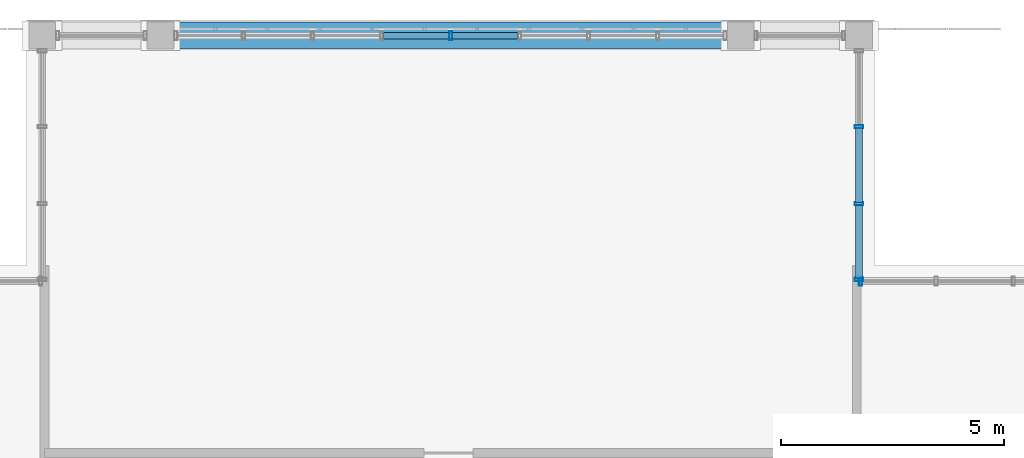
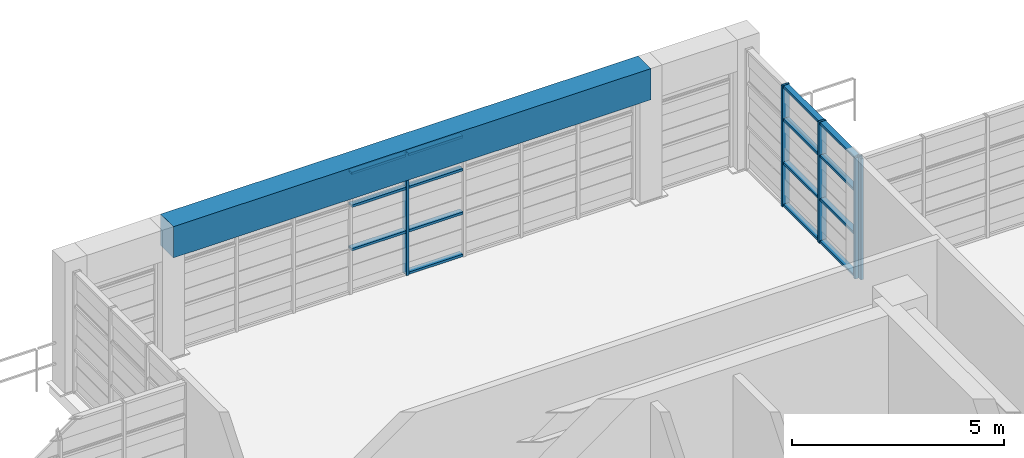
# One storey, part 14 of 24: 20 members, 1 beam, 3 elements without a shape of their own.
"""IFC4 building model written with IfcOpenShell, lengths in metres."""

from ifc_helpers import new_model, si_unit, direction, frame, origin, origin_2d, place, context, subcontext, project, spatial, rectangle, hollow_rectangle, extrude, source, transform, mapped, material, layer, layer_set, material_profile, profile_set, type_object, element, aggregate, save


model = new_model("IFC4")

# Units and contexts
model_context = context("Model", 3, precision=1e-05, world=origin(), true_north=direction((0.0, 1.0)))
body_context = subcontext(model_context, "Body", "Model", "MODEL_VIEW")
ifc_project = project(units=[si_unit("LENGTHUNIT", "METRE"), si_unit("AREAUNIT", "SQUARE_METRE"), si_unit("VOLUMEUNIT", "CUBIC_METRE"), si_unit("PLANEANGLEUNIT", "RADIAN"), si_unit("MASSUNIT", "GRAM", prefix="KILO")], contexts=[model_context])

# Site, building, storey
site_placement = place(None, origin())
site = spatial("IfcSite", under=ifc_project, at=site_placement, CompositionType="ELEMENT")
building_placement = place(site_placement, origin())
building = spatial("IfcBuilding", under=site, at=building_placement, Name="Saelheon Loggia Tower", CompositionType="ELEMENT")
storey_placement = place(building_placement, frame((0.0, 0.0, 252.199951171875)))
storey = spatial("IfcBuildingStorey", under=building, at=storey_placement, Name="CR1", CompositionType="ELEMENT", Elevation=252.199951171875)

# Beam
ifc_material_1 = material(Name="Precast Concrete C45/55", Category="concrete")
ifc_material_profile_1 = material_profile(ifc_material_1, rectangle(XDim=0.60009765625, YDim=0.89990234375, at=origin_2d()), Name="RC-600x900")
ifc_profile_set_1 = profile_set([ifc_material_profile_1], Name="Precast Concrete C45/55")
beam_type = type_object("IfcBeamType", Name="CrownFrame_Ring_RC600x900", PredefinedType="BEAM", material=ifc_profile_set_1)
shared_shape_1 = source(origin(), body_context, "Body", "SweptSolid", [
    extrude(rectangle(XDim=0.60009765625, YDim=0.89990234375, at=origin_2d()), origin(), (0.0, 0.0, 1.0), 13.0),
])
beam_placement = place(storey_placement, frame((44.5, 47.64990234375, 3.35009765625), z_axis=(-1.0, 0.0, 0.0), x_axis=(0.0, -1.0, 0.0)))
element("IfcBeam", 1, at=beam_placement, inside=storey, type_object=beam_type, Name="CR1 CROWN FRAME Sill Beam 10", PredefinedType="BEAM", context=body_context, shape_type="MappedRepresentation", body=[
    mapped(shared_shape_1, transform((0.0, 0.0, 0.0), scale=1.0)),
])

# Curtain wall, member
ifc_material_2 = material(Name="Bronze-Anodised Aluminium and Fritted Ceramic Screen", Category="aluminium")
ifc_layer = layer(ifc_material_2, 0.219970703125)
ifc_layer_set = layer_set([ifc_layer], Name="Bronze-Anodised Aluminium and Fritted Ceramic Screen")
curtain_wall_type = type_object("IfcCurtainWallType", Name="CW_CrownScreen", PredefinedType="NOTDEFINED", material=ifc_layer_set)
curtain_wall_1_placement = place(storey_placement, origin())
curtain_wall_1 = element("IfcCurtainWall", 2, at=curtain_wall_1_placement, inside=storey, type_object=curtain_wall_type, Name="CR1 Crown Screen Curtain Wall 4-1", PredefinedType="NOTDEFINED")
ifc_material_3 = material(Name="Bronze-Anodised Aluminium 6063-T6", Category="aluminium")
ifc_material_profile_2 = material_profile(ifc_material_3, hollow_rectangle(XDim=0.070068359375, YDim=0.199951171875, WallThickness=0.0048828125, at=origin_2d()), Name="RHS-200x70x5")
ifc_profile_set_2 = profile_set([ifc_material_profile_2], Name="Bronze-Anodised Aluminium 6063-T6")
member_type_1 = type_object("IfcMemberType", Name="CW_CrownScreen_Mullion", PredefinedType="MULLION", material=ifc_profile_set_2)
shared_shape_2 = source(origin(), body_context, "Body", "SweptSolid", [
    extrude(hollow_rectangle(XDim=0.070068359375, YDim=0.199951171875, WallThickness=0.0048828125, at=origin_2d()), origin(), (0.0, 0.0, 1.0), 3.47998046875),
])
member_1_placement = place(storey_placement, frame((47.18505859375, 42.14990234375, 0.0), z_axis=(0.0, 0.0, 1.0), x_axis=(-1.0, 0.0, 0.0)))
member_1 = element("IfcMember", 3, at=member_1_placement, type_object=member_type_1, Name="CW6 mullion 4", PredefinedType="MULLION", context=body_context, shape_type="MappedRepresentation", body=[
    mapped(shared_shape_2, transform((0.0, 0.0, 0.0), scale=1.0)),
])
aggregate(curtain_wall_1, [member_1])

# Curtain wall, members
curtain_wall_2_placement = place(storey_placement, origin())
curtain_wall_2 = element("IfcCurtainWall", 4, at=curtain_wall_2_placement, inside=storey, type_object=curtain_wall_type, Name="CR1 Crown Screen Curtain Wall 5-1", PredefinedType="NOTDEFINED")
member_2_placement = place(storey_placement, frame((47.14990234375, 42.18505859375, 0.0), z_axis=(0.0, 0.0, 1.0), x_axis=(0.0, 1.0, 0.0)))
member_2 = element("IfcMember", 5, at=member_2_placement, type_object=member_type_1, Name="CW6 mullion 1", PredefinedType="MULLION", context=body_context, shape_type="MappedRepresentation", body=[
    mapped(shared_shape_2, transform((0.0, 0.0, 0.0), scale=1.0)),
])
member_3_placement = place(storey_placement, frame((47.14990234375, 43.8798828125, 0.0), z_axis=(0.0, 0.0, 1.0), x_axis=(0.0, 1.0, 0.0)))
member_3 = element("IfcMember", 6, at=member_3_placement, type_object=member_type_1, Name="CW6 mullion 2", PredefinedType="MULLION", context=body_context, shape_type="MappedRepresentation", body=[
    mapped(shared_shape_2, transform((0.0, 0.0, 0.0), scale=1.0)),
])
member_4_placement = place(storey_placement, frame((47.14990234375, 45.610107421875, 0.0), z_axis=(0.0, 0.0, 1.0), x_axis=(0.0, 1.0, 0.0)))
member_4 = element("IfcMember", 7, at=member_4_placement, type_object=member_type_1, Name="CW6 mullion 3", PredefinedType="MULLION", context=body_context, shape_type="MappedRepresentation", body=[
    mapped(shared_shape_2, transform((0.0, 0.0, 0.0), scale=1.0)),
])

curtain_wall_3_placement = place(storey_placement, origin())
curtain_wall_3 = element("IfcCurtainWall", 8, at=curtain_wall_3_placement, inside=storey, type_object=curtain_wall_type, Name="CR1 Crown Screen Curtain Wall 6-2", PredefinedType="NOTDEFINED")
member_5_placement = place(storey_placement, frame((38.0, 47.64990234375, 0.0), z_axis=(0.0, 0.0, 1.0), x_axis=(-1.0, 0.0, 0.0)))
member_5 = element("IfcMember", 9, at=member_5_placement, type_object=member_type_1, Name="CW6 mullion 5", PredefinedType="MULLION", context=body_context, shape_type="MappedRepresentation", body=[
    mapped(shared_shape_2, transform((0.0, 0.0, 0.0), scale=1.0)),
])
ifc_material_profile_3 = material_profile(ifc_material_3, hollow_rectangle(XDim=0.070068359375, YDim=0.14990234375, WallThickness=0.0048828125, at=origin_2d()), Name="RHS-150x70x5")
ifc_profile_set_3 = profile_set([ifc_material_profile_3], Name="Bronze-Anodised Aluminium 6063-T6")
member_type_2 = type_object("IfcMemberType", Name="CW_CrownScreen_Transom", PredefinedType="USERDEFINED", material=ifc_profile_set_3)
shared_shape_3 = source(origin(), body_context, "Body", "SweptSolid", [
    extrude(hollow_rectangle(XDim=0.070068359375, YDim=0.14990234375, WallThickness=0.0048828125, at=origin_2d()), origin(), (0.0, 0.0, 1.0), 1.4775390625),
])
member_6_placement = place(storey_placement, frame((39.512451171875, 47.64990234375, 0.03515625), z_axis=(-1.0, 0.0, 0.0), x_axis=(0.0, 0.0, 1.0)))
member_6 = element("IfcMember", 10, at=member_6_placement, type_object=member_type_2, Name="CW6 transom 4.1", ObjectType="TRANSOM", PredefinedType="USERDEFINED", context=body_context, shape_type="MappedRepresentation", body=[
    mapped(shared_shape_3, transform((0.0, 0.0, 0.0), scale=1.0)),
])
member_7_placement = place(storey_placement, frame((39.512451171875, 47.64990234375, 1.25), z_axis=(-1.0, 0.0, 0.0), x_axis=(0.0, 0.0, 1.0)))
member_7 = element("IfcMember", 11, at=member_7_placement, type_object=member_type_2, Name="CW6 transom 4.2", ObjectType="TRANSOM", PredefinedType="USERDEFINED", context=body_context, shape_type="MappedRepresentation", body=[
    mapped(shared_shape_3, transform((0.0, 0.0, 0.0), scale=1.0)),
])
member_8_placement = place(storey_placement, frame((39.512451171875, 47.64990234375, 2.5), z_axis=(-1.0, 0.0, 0.0), x_axis=(0.0, 0.0, 1.0)))
member_8 = element("IfcMember", 12, at=member_8_placement, type_object=member_type_2, Name="CW6 transom 4.3", ObjectType="TRANSOM", PredefinedType="USERDEFINED", context=body_context, shape_type="MappedRepresentation", body=[
    mapped(shared_shape_3, transform((0.0, 0.0, 0.0), scale=1.0)),
])
member_9_placement = place(storey_placement, frame((39.512451171875, 47.64990234375, 3.445068359375), z_axis=(-1.0, 0.0, 0.0), x_axis=(0.0, 0.0, 1.0)))
member_9 = element("IfcMember", 13, at=member_9_placement, type_object=member_type_2, Name="CW6 transom 4.4", ObjectType="TRANSOM", PredefinedType="USERDEFINED", context=body_context, shape_type="MappedRepresentation", body=[
    mapped(shared_shape_3, transform((0.0, 0.0, 0.0), scale=1.0)),
])
member_10_placement = place(storey_placement, frame((37.965087890625, 47.64990234375, 1.25), z_axis=(-1.0, 0.0, 0.0), x_axis=(0.0, 0.0, 1.0)))
member_10 = element("IfcMember", 14, at=member_10_placement, type_object=member_type_2, Name="CW6 transom 5.2", ObjectType="TRANSOM", PredefinedType="USERDEFINED", context=body_context, shape_type="MappedRepresentation", body=[
    mapped(shared_shape_3, transform((0.0, 0.0, 0.0), scale=1.0)),
])
member_11_placement = place(storey_placement, frame((37.965087890625, 47.64990234375, 2.5), z_axis=(-1.0, 0.0, 0.0), x_axis=(0.0, 0.0, 1.0)))
member_11 = element("IfcMember", 15, at=member_11_placement, type_object=member_type_2, Name="CW6 transom 5.3", ObjectType="TRANSOM", PredefinedType="USERDEFINED", context=body_context, shape_type="MappedRepresentation", body=[
    mapped(shared_shape_3, transform((0.0, 0.0, 0.0), scale=1.0)),
])
member_12_placement = place(storey_placement, frame((37.965087890625, 47.64990234375, 3.445068359375), z_axis=(-1.0, 0.0, 0.0), x_axis=(0.0, 0.0, 1.0)))
member_12 = element("IfcMember", 16, at=member_12_placement, type_object=member_type_2, Name="CW6 transom 5.4", ObjectType="TRANSOM", PredefinedType="USERDEFINED", context=body_context, shape_type="MappedRepresentation", body=[
    mapped(shared_shape_3, transform((0.0, 0.0, 0.0), scale=1.0)),
])
aggregate(curtain_wall_3, [member_5, member_6, member_7, member_8, member_9, member_10, member_11, member_12])

# Member
shared_shape_4 = source(origin(), body_context, "Body", "SweptSolid", [
    extrude(hollow_rectangle(XDim=0.070068359375, YDim=0.14990234375, WallThickness=0.0048828125, at=origin_2d()), origin(), (0.0, 0.0, 1.0), 1.625),
])
member_13_placement = place(storey_placement, frame((47.14990234375, 42.219970703125, 0.03515625), z_axis=(0.0, 1.0, 0.0), x_axis=(0.0, 0.0, 1.0)))
member_13 = element("IfcMember", 17, at=member_13_placement, type_object=member_type_2, Name="CW6 transom 1.1", ObjectType="TRANSOM", PredefinedType="USERDEFINED", context=body_context, shape_type="MappedRepresentation", body=[
    mapped(shared_shape_4, transform((0.0, 0.0, 0.0), scale=1.0)),
])

member_14_placement = place(storey_placement, frame((47.14990234375, 42.219970703125, 1.25), z_axis=(0.0, 1.0, 0.0), x_axis=(0.0, 0.0, 1.0)))
member_14 = element("IfcMember", 18, at=member_14_placement, type_object=member_type_2, Name="CW6 transom 1.2", ObjectType="TRANSOM", PredefinedType="USERDEFINED", context=body_context, shape_type="MappedRepresentation", body=[
    mapped(shared_shape_4, transform((0.0, 0.0, 0.0), scale=1.0)),
])

member_15_placement = place(storey_placement, frame((47.14990234375, 42.219970703125, 2.5), z_axis=(0.0, 1.0, 0.0), x_axis=(0.0, 0.0, 1.0)))
member_15 = element("IfcMember", 19, at=member_15_placement, type_object=member_type_2, Name="CW6 transom 1.3", ObjectType="TRANSOM", PredefinedType="USERDEFINED", context=body_context, shape_type="MappedRepresentation", body=[
    mapped(shared_shape_4, transform((0.0, 0.0, 0.0), scale=1.0)),
])

member_16_placement = place(storey_placement, frame((47.14990234375, 42.219970703125, 3.445068359375), z_axis=(0.0, 1.0, 0.0), x_axis=(0.0, 0.0, 1.0)))
member_16 = element("IfcMember", 20, at=member_16_placement, type_object=member_type_2, Name="CW6 transom 1.4", ObjectType="TRANSOM", PredefinedType="USERDEFINED", context=body_context, shape_type="MappedRepresentation", body=[
    mapped(shared_shape_4, transform((0.0, 0.0, 0.0), scale=1.0)),
])

shared_shape_5 = source(origin(), body_context, "Body", "SweptSolid", [
    extrude(hollow_rectangle(XDim=0.070068359375, YDim=0.14990234375, WallThickness=0.0048828125, at=origin_2d()), origin(), (0.0, 0.0, 1.0), 1.659912109375),
])
member_17_placement = place(storey_placement, frame((47.14990234375, 43.9150390625, 0.03515625), z_axis=(0.0, 1.0, 0.0), x_axis=(0.0, 0.0, 1.0)))
member_17 = element("IfcMember", 21, at=member_17_placement, type_object=member_type_2, Name="CW6 transom 2.1", ObjectType="TRANSOM", PredefinedType="USERDEFINED", context=body_context, shape_type="MappedRepresentation", body=[
    mapped(shared_shape_5, transform((0.0, 0.0, 0.0), scale=1.0)),
])

member_18_placement = place(storey_placement, frame((47.14990234375, 43.9150390625, 1.25), z_axis=(0.0, 1.0, 0.0), x_axis=(0.0, 0.0, 1.0)))
member_18 = element("IfcMember", 22, at=member_18_placement, type_object=member_type_2, Name="CW6 transom 2.2", ObjectType="TRANSOM", PredefinedType="USERDEFINED", context=body_context, shape_type="MappedRepresentation", body=[
    mapped(shared_shape_5, transform((0.0, 0.0, 0.0), scale=1.0)),
])

member_19_placement = place(storey_placement, frame((47.14990234375, 43.9150390625, 2.5), z_axis=(0.0, 1.0, 0.0), x_axis=(0.0, 0.0, 1.0)))
member_19 = element("IfcMember", 23, at=member_19_placement, type_object=member_type_2, Name="CW6 transom 2.3", ObjectType="TRANSOM", PredefinedType="USERDEFINED", context=body_context, shape_type="MappedRepresentation", body=[
    mapped(shared_shape_5, transform((0.0, 0.0, 0.0), scale=1.0)),
])

member_20_placement = place(storey_placement, frame((47.14990234375, 43.9150390625, 3.445068359375), z_axis=(0.0, 1.0, 0.0), x_axis=(0.0, 0.0, 1.0)))
member_20 = element("IfcMember", 24, at=member_20_placement, type_object=member_type_2, Name="CW6 transom 2.4", ObjectType="TRANSOM", PredefinedType="USERDEFINED", context=body_context, shape_type="MappedRepresentation", body=[
    mapped(shared_shape_5, transform((0.0, 0.0, 0.0), scale=1.0)),
])

aggregate(curtain_wall_2, [member_2, member_3, member_4, member_13, member_14, member_15, member_16, member_17, member_18, member_19, member_20])

save(model, "model.ifc")
